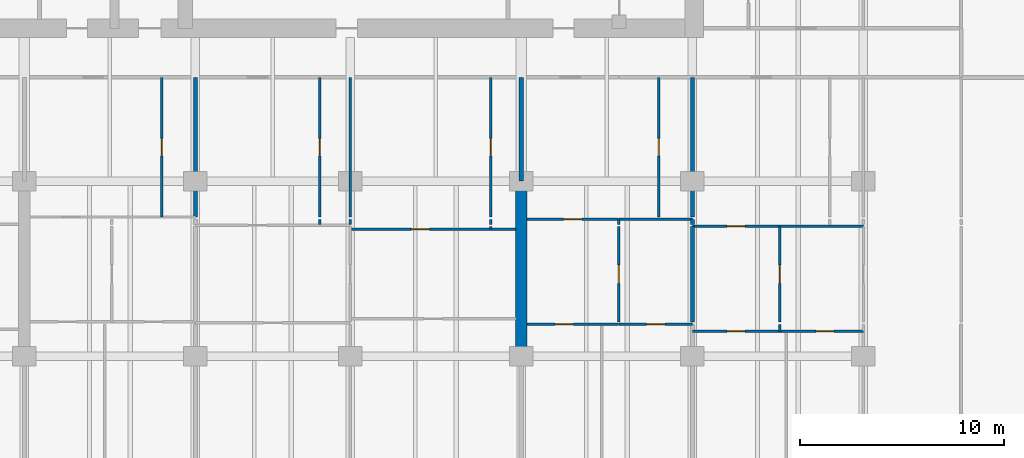
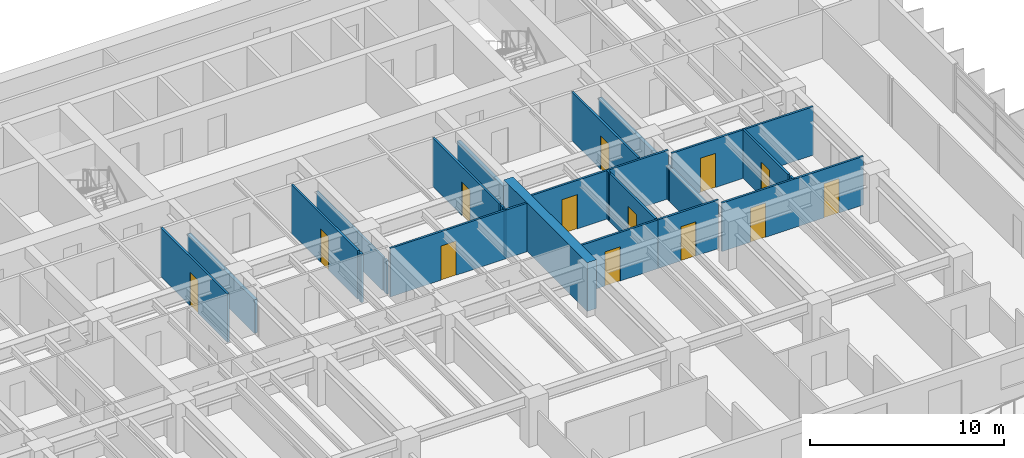
# One storey, part 9 of 17: 26 walls, 13 doors, 13 openings.
"""IFC4 building model written with IfcOpenShell, lengths in metres."""

import ifcopenshell
import ifcopenshell.guid

model = None  # the IFC model being written
_history = None  # IfcOwnerHistory: only IFC2X3 demands one
_inside = {}  # id of a spatial element -> (the spatial element, [elements in it])
_under = {}  # id of a project, library or spatial element -> (it, [spatial elements below it])
_declared = {}  # id of a project -> (the project, [libraries it declares])
_typed = {}  # id of a type object -> (the type object, [elements of that type])
_made_of = {}  # id of a material, layer set ... -> (it, [elements and type objects made of it])


def new_model(schema):
    """Start an empty IFC model of exactly this schema.

    Asked for "IFC4X3", IfcOpenShell would pick the latest addendum, in which some entities
    have other attributes; the version numbers below select the first issue.
    IFC2X3 requires an IfcOwnerHistory on every rooted entity: one is made here for all.
    """
    global model, _history
    if schema == "IFC4X3":
        model = ifcopenshell.file(schema_version=(4, 3, 0, 0))
    else:
        model = ifcopenshell.file(schema=schema)
    _inside.clear()
    _under.clear()
    _declared.clear()
    _typed.clear()
    _made_of.clear()
    _history = None
    if model.schema == "IFC2X3":
        org = make("IfcOrganization", Name="unknown")
        user = make(
            "IfcPersonAndOrganization",
            ThePerson=make("IfcPerson", FamilyName="unknown"),
            TheOrganization=org,
        )
        app = make(
            "IfcApplication",
            ApplicationDeveloper=org,
            Version="unknown",
            ApplicationFullName="unknown",
            ApplicationIdentifier="unknown",
        )
        _history = make(
            "IfcOwnerHistory",
            OwningUser=user,
            OwningApplication=app,
            ChangeAction="ADDED",
            CreationDate=0,
        )
    return model


def make(cls, **values):
    """One entity of the class cls with the attributes given. An attribute that is None is left unset."""
    return model.create_entity(
        cls, **{name: value for name, value in values.items() if value is not None}
    )


def rooted(cls, **values):
    """An entity with a GlobalId (a new one), such as an element, a storey or a relation."""
    return make(cls, GlobalId=ifcopenshell.guid.new(), OwnerHistory=_history, **values)


def si_unit(unit_type, name, prefix=None):
    """IfcSIUnit, for example si_unit("LENGTHUNIT", "METRE", prefix="MILLI")."""
    return make("IfcSIUnit", UnitType=unit_type, Prefix=prefix, Name=name)


def assignment(units):
    """IfcUnitAssignment: the units of a project."""
    return None if units is None else make("IfcUnitAssignment", Units=units)


def point(xyz):
    """IfcCartesianPoint."""
    return None if xyz is None else make("IfcCartesianPoint", Coordinates=xyz)


def direction(xyz):
    """IfcDirection."""
    return None if xyz is None else make("IfcDirection", DirectionRatios=xyz)


def frame(location, z_axis=None, x_axis=None):
    """IfcAxis2Placement3D, a coordinate frame: its origin and axes. An axis left out is left unset."""
    return make(
        "IfcAxis2Placement3D",
        Location=point(location),
        Axis=direction(z_axis),
        RefDirection=direction(x_axis),
    )


def frame_2d(location, x_axis=None):
    """IfcAxis2Placement2D, a coordinate frame in the plane: its origin and x axis."""
    return make(
        "IfcAxis2Placement2D", Location=point(location), RefDirection=direction(x_axis)
    )


def origin():
    """The frame at (0, 0, 0) with its axes left unset."""
    return frame((0.0, 0.0, 0.0))


def place(relative_to, where):
    """IfcLocalPlacement: puts the frame where relative to a parent placement (None: the world)."""
    return make(
        "IfcLocalPlacement", PlacementRelTo=relative_to, RelativePlacement=where
    )


def context(
    kind, dimensions, precision=None, world=None, true_north=None, identifier=None
):
    """IfcGeometricRepresentationContext, for example the 3D "Model" context."""
    return make(
        "IfcGeometricRepresentationContext",
        ContextIdentifier=identifier,
        ContextType=kind,
        CoordinateSpaceDimension=dimensions,
        Precision=precision,
        WorldCoordinateSystem=world,
        TrueNorth=true_north,
    )


def subcontext(parent, identifier, kind, view, scale=None):
    """IfcGeometricRepresentationSubContext, for example "Body" below "Model"."""
    return make(
        "IfcGeometricRepresentationSubContext",
        ContextIdentifier=identifier,
        ContextType=kind,
        ParentContext=parent,
        TargetScale=scale,
        TargetView=view,
    )


def project(units=None, contexts=None):
    """IfcProject with its units and contexts."""
    return rooted(
        "IfcProject",
        Name="project",
        RepresentationContexts=contexts,
        UnitsInContext=assignment(units),
    )


def spatial(cls, under=None, at=None, **own):
    """A site, building, storey or space (cls), placed at a placement, below another one or the project."""
    s = rooted(cls, ObjectPlacement=at, **own)
    if under is not None:
        _under.setdefault(under.id(), (under, []))[1].append(s)
    return s


def profile(cls, at=None, kind="AREA", **sizes):
    """A parametric profile (cls). Its sizes go by their IFC names, for example OverallWidth=200.0."""
    return make(cls, ProfileType=kind, Position=at, **sizes)


def rectangle(**sizes):
    """IfcRectangleProfileDef."""
    return profile("IfcRectangleProfileDef", **sizes)


def extrude(swept, where, along, depth):
    """IfcExtrudedAreaSolid: the profile swept, set in the frame where, extruded along a direction by depth."""
    return make(
        "IfcExtrudedAreaSolid",
        SweptArea=swept,
        Position=where,
        ExtrudedDirection=direction(along),
        Depth=depth,
    )


def shape(context_of_items, identifier, shape_type, items):
    """IfcShapeRepresentation: the items that make up one representation, for example the "Body"."""
    return make(
        "IfcShapeRepresentation",
        ContextOfItems=context_of_items,
        RepresentationIdentifier=identifier,
        RepresentationType=shape_type,
        Items=items,
    )


def material(Name=None, Category=None):
    """IfcMaterial."""
    return make("IfcMaterial", Name=Name, Category=Category)


def layer(
    of_material, thickness, ventilated=None, Name=None, Category=None, Priority=None
):
    """IfcMaterialLayer: one layer of a wall or slab, of a material (None: an air gap)."""
    return make(
        "IfcMaterialLayer",
        Material=of_material,
        LayerThickness=thickness,
        IsVentilated=ventilated,
        Name=Name,
        Category=Category,
        Priority=Priority,
    )


def layer_set(layers, Name=None):
    """IfcMaterialLayerSet."""
    return make("IfcMaterialLayerSet", MaterialLayers=layers, LayerSetName=Name)


def made_of(thing, what):
    """Note that an element or type object is made of a material, layer set ...; save() writes the relation."""
    if what is not None:
        _made_of.setdefault(what.id(), (what, []))[1].append(thing)
    return thing


def type_object(cls, material=None, **own):
    """A type object (cls), such as IfcWallType, which elements share."""
    return made_of(rooted(cls, **own), material)


def element(
    cls,
    number,
    at=None,
    inside=None,
    cuts=None,
    type_object=None,
    material=None,
    context=None,
    identifier="Body",
    shape_type=None,
    held_by="IfcProductDefinitionShape",
    body=None,
    shapes=None,
    **own,
):
    """One element of the class cls, such as IfcWall. Its Tag is "e" and its number.

    at: its placement. inside: the storey or other place that contains it. cuts: it is an
    opening in that element (IfcRelVoidsElement). A single representation is given by context,
    identifier, shape_type and body (its items); several are given by shapes. held_by: the class
    of the entity that holds the representations. save() writes the other relations.
    """
    e = rooted(cls, Tag="e%d" % number, ObjectPlacement=at, **own)
    if body is not None:
        shapes = [shape(context, identifier, shape_type, body)]
    if shapes is not None:
        e.Representation = make(held_by, Representations=shapes)
    if inside is not None:
        _inside.setdefault(inside.id(), (inside, []))[1].append(e)
    if cuts is not None:
        rooted(
            "IfcRelVoidsElement", RelatingBuildingElement=cuts, RelatedOpeningElement=e
        )
    if type_object is not None:
        _typed.setdefault(type_object.id(), (type_object, []))[1].append(e)
    return made_of(e, material)


def fill(opening, filler):
    """IfcRelFillsElement: the door or window that sits in an opening."""
    return rooted(
        "IfcRelFillsElement",
        RelatingOpeningElement=opening,
        RelatedBuildingElement=filler,
    )


def aggregate(whole, parts):
    """IfcRelAggregates: a whole, such as a stair, and the parts it consists of."""
    return rooted("IfcRelAggregates", RelatingObject=whole, RelatedObjects=parts)


def save(model, path):
    """Write the relations noted so far, then the file.

    IfcRelAggregates (storeys below a building ...), IfcRelContainedInSpatialStructure (elements
    in a storey), IfcRelDefinesByType, IfcRelAssociatesMaterial and IfcRelDeclares: one each for
    every whole, place, type object, material and project.
    """
    for whole, parts in _under.values():
        aggregate(whole, parts)
    for where, things in _inside.values():
        rooted(
            "IfcRelContainedInSpatialStructure",
            RelatedElements=things,
            RelatingStructure=where,
        )
    for kind, things in _typed.values():
        rooted("IfcRelDefinesByType", RelatedObjects=things, RelatingType=kind)
    for what, things in _made_of.values():
        rooted("IfcRelAssociatesMaterial", RelatedObjects=things, RelatingMaterial=what)
    for by, libraries in _declared.values():
        rooted("IfcRelDeclares", RelatingContext=by, RelatedDefinitions=libraries)
    model.write(path)


model = new_model("IFC4")

# Units and contexts
model_context = context("Model", 3, precision=1e-05, world=origin(), true_north=direction((0.0, 1.0)))
body_context = subcontext(model_context, "Body", "Model", "MODEL_VIEW")
ifc_project = project(units=[si_unit("LENGTHUNIT", "METRE"), si_unit("AREAUNIT", "SQUARE_METRE"), si_unit("VOLUMEUNIT", "CUBIC_METRE"), si_unit("PLANEANGLEUNIT", "RADIAN"), si_unit("MASSUNIT", "GRAM", prefix="KILO")], contexts=[model_context])

# Site, building, storey
site_placement = place(None, origin())
site = spatial("IfcSite", under=ifc_project, at=site_placement, CompositionType="ELEMENT")
building_placement = place(site_placement, origin())
building = spatial("IfcBuilding", under=site, at=building_placement, Name="Caelmar Bay Residences", CompositionType="ELEMENT")
storey_placement = place(building_placement, frame((0.0, 0.0, 33.300048828125)))
storey = spatial("IfcBuildingStorey", under=building, at=storey_placement, Name="L07", CompositionType="ELEMENT", Elevation=33.300048828125)

# Wall
ifc_material_1 = material(Name="Concrete f'c 70 MPa (10,000 psi)", Category="concrete")
ifc_layer_1 = layer(ifc_material_1, 0.550048828125)
ifc_layer_set_1 = layer_set([ifc_layer_1], Name="Concrete f'c 70 MPa (10,000 psi)")
wall_type_1 = type_object("IfcWallType", Name="SW-XSLB-550", PredefinedType="SHEAR", material=ifc_layer_set_1)
wall_1_placement = place(storey_placement, frame((51.10009765625, 20.800048828125, 0.0), z_axis=(0.0, 0.0, 1.0), x_axis=(0.0, 1.0, 0.0)))
element("IfcWall", 1, at=wall_1_placement, inside=storey, type_object=wall_type_1, Name="L07 Transverse Cross-Slab Shear Wall E8", PredefinedType="SHEAR", context=body_context, shape_type="SweptSolid", body=[
    extrude(rectangle(XDim=8.599853515625, YDim=0.550048828125, at=frame_2d((4.2998046875, 0.0))), origin(), (0.0, 0.0, 1.0), 3.050048828125),
])

# Wall, opening, door
ifc_material_2 = material(Name="Acoustic metal-stud gypsum partition 120 mm")
ifc_layer_2 = layer(ifc_material_2, 0.1201171875)
ifc_layer_set_2 = layer_set([ifc_layer_2], Name="Acoustic metal-stud gypsum partition 120 mm")
wall_type_2 = type_object("IfcWallType", Name="W-PRT-120", PredefinedType="PARTITIONING", material=ifc_layer_set_2)
wall_2_placement = place(storey_placement, frame((33.449951171875, 27.639892578125, 0.0), z_axis=(0.0, 0.0, 1.0), x_axis=(0.0, 1.0, 0.0)))
wall_2 = element("IfcWall", 2, at=wall_2_placement, inside=storey, type_object=wall_type_2, Name="L07 Partition Wall V041", PredefinedType="PARTITIONING", context=body_context, shape_type="SweptSolid", body=[
    extrude(rectangle(XDim=6.860107421875, YDim=0.1201171875, at=frame_2d((3.43017578125, 0.0))), origin(), (0.0, 0.0, 1.0), 3.050048828125),
])
opening_1_placement = place(wall_2_placement, frame((3.0048828125, 0.0, 0.0)))
opening_1 = element("IfcOpeningElement", 3, at=opening_1_placement, cuts=wall_2, Name="Opening D-L07-135", PredefinedType="OPENING", context=body_context, shape_type="SweptSolid", body=[
    extrude(rectangle(XDim=0.85009765625, YDim=2.10009765625, at=frame_2d((0.425048828125, 1.050048828125))), frame((0.0, 0.070068359375, 0.0), z_axis=(0.0, -1.0, 0.0), x_axis=(1.0, 0.0, 0.0)), (0.0, 0.0, 1.0), 0.14013671875),
])
ifc_material_3 = material(Name="Solid walnut timber interior door leaf and frame", Category="wood")
ifc_layer_3 = layer(ifc_material_3, 0.050048828125)
ifc_layer_set_3 = layer_set([ifc_layer_3], Name="Solid walnut timber interior door leaf and frame")
door_type_1 = type_object("IfcDoorType", Name="D-BATH-850", OperationType="NOTDEFINED", PredefinedType="DOOR", material=ifc_layer_set_3)
door_1_placement = place(opening_1_placement, origin())
door_1 = element("IfcDoor", 4, at=door_1_placement, inside=storey, type_object=door_type_1, Name="L07 Residence 03 Bathroom Door", OperationType="SINGLE_SWING_RIGHT", OverallHeight=2.10009765625, OverallWidth=0.85009765625, PredefinedType="DOOR", context=body_context, shape_type="SweptSolid", body=[
    extrude(rectangle(XDim=0.85009765625, YDim=2.10009765625, at=frame_2d((0.425048828125, 1.050048828125))), frame((0.0, 0.02490234375, 0.0), z_axis=(0.0, -1.0, 0.0), x_axis=(1.0, 0.0, 0.0)), (0.0, 0.0, 1.0), 0.050048828125),
])
fill(opening_1, door_1)

# Wall
wall_3_placement = place(storey_placement, frame((41.199951171875, 27.280029296875, 0.0), z_axis=(0.0, 0.0, 1.0), x_axis=(0.0, 1.0, 0.0)))
element("IfcWall", 5, at=wall_3_placement, inside=storey, type_object=wall_type_2, Name="L07 Partition Wall V050", PredefinedType="PARTITIONING", context=body_context, shape_type="SweptSolid", body=[
    extrude(rectangle(XDim=0.239990234375, YDim=0.1201171875, at=frame_2d((0.1201171875, 0.0))), origin(), (0.0, 0.0, 1.0), 3.050048828125),
])

# Wall, opening, door
wall_4_placement = place(storey_placement, frame((41.199951171875, 27.639892578125, 0.0), z_axis=(0.0, 0.0, 1.0), x_axis=(0.0, 1.0, 0.0)))
wall_4 = element("IfcWall", 6, at=wall_4_placement, inside=storey, type_object=wall_type_2, Name="L07 Partition Wall V051", PredefinedType="PARTITIONING", context=body_context, shape_type="SweptSolid", body=[
    extrude(rectangle(XDim=6.860107421875, YDim=0.1201171875, at=frame_2d((3.43017578125, 0.0))), origin(), (0.0, 0.0, 1.0), 3.050048828125),
])
opening_2_placement = place(wall_4_placement, frame((3.0048828125, 0.0, 0.0)))
opening_2 = element("IfcOpeningElement", 7, at=opening_2_placement, cuts=wall_4, Name="Opening D-L07-142", PredefinedType="OPENING", context=body_context, shape_type="SweptSolid", body=[
    extrude(rectangle(XDim=0.85009765625, YDim=2.10009765625, at=frame_2d((0.425048828125, 1.050048828125))), frame((0.0, 0.070068359375, 0.0), z_axis=(0.0, -1.0, 0.0), x_axis=(1.0, 0.0, 0.0)), (0.0, 0.0, 1.0), 0.14013671875),
])
door_2_placement = place(opening_2_placement, origin())
door_2 = element("IfcDoor", 8, at=door_2_placement, inside=storey, type_object=door_type_1, Name="L07 Residence 04 Guest Bathroom Door", OperationType="SINGLE_SWING_LEFT", OverallHeight=2.10009765625, OverallWidth=0.85009765625, PredefinedType="DOOR", context=body_context, shape_type="SweptSolid", body=[
    extrude(rectangle(XDim=0.85009765625, YDim=2.10009765625, at=frame_2d((0.425048828125, 1.050048828125))), frame((0.0, 0.02490234375, 0.0), z_axis=(0.0, -1.0, 0.0), x_axis=(1.0, 0.0, 0.0)), (0.0, 0.0, 1.0), 0.050048828125),
])
fill(opening_2, door_2)

# Walls
wall_5_placement = place(storey_placement, frame((42.699951171875, 27.280029296875, 0.0), z_axis=(0.0, 0.0, 1.0), x_axis=(0.0, 1.0, 0.0)))
element("IfcWall", 9, at=wall_5_placement, inside=storey, type_object=wall_type_2, Name="L07 Partition Wall V055", PredefinedType="PARTITIONING", context=body_context, shape_type="SweptSolid", body=[
    extrude(rectangle(XDim=0.239990234375, YDim=0.1201171875, at=frame_2d((0.1201171875, 0.0))), origin(), (0.0, 0.0, 1.0), 2.10986328125),
])
wall_6_placement = place(storey_placement, frame((42.699951171875, 27.639892578125, 0.0), z_axis=(0.0, 0.0, 1.0), x_axis=(0.0, 1.0, 0.0)))
element("IfcWall", 10, at=wall_6_placement, inside=storey, type_object=wall_type_2, Name="L07 Partition Wall V056", PredefinedType="PARTITIONING", context=body_context, shape_type="SweptSolid", body=[
    extrude(rectangle(XDim=6.860107421875, YDim=0.1201171875, at=frame_2d((3.43017578125, 0.0))), origin(), (0.0, 0.0, 1.0), 2.10986328125),
])
wall_7_placement = place(storey_placement, frame((49.60009765625, 27.0400390625, 0.0), z_axis=(0.0, 0.0, 1.0), x_axis=(0.0, 1.0, 0.0)))
element("IfcWall", 11, at=wall_7_placement, inside=storey, type_object=wall_type_2, Name="L07 Partition Wall V060", PredefinedType="PARTITIONING", context=body_context, shape_type="SweptSolid", body=[
    extrude(rectangle(XDim=0.139892578125, YDim=0.1201171875, at=frame_2d((0.06982421875, 0.0))), origin(), (0.0, 0.0, 1.0), 3.050048828125),
])
wall_8_placement = place(storey_placement, frame((49.60009765625, 27.280029296875, 0.0), z_axis=(0.0, 0.0, 1.0), x_axis=(0.0, 1.0, 0.0)))
element("IfcWall", 12, at=wall_8_placement, inside=storey, type_object=wall_type_2, Name="L07 Partition Wall V061", PredefinedType="PARTITIONING", context=body_context, shape_type="SweptSolid", body=[
    extrude(rectangle(XDim=0.239990234375, YDim=0.1201171875, at=frame_2d((0.1201171875, 0.0))), origin(), (0.0, 0.0, 1.0), 3.050048828125),
])

# Wall, opening, door
wall_9_placement = place(storey_placement, frame((49.60009765625, 27.639892578125, 0.0), z_axis=(0.0, 0.0, 1.0), x_axis=(0.0, 1.0, 0.0)))
wall_9 = element("IfcWall", 13, at=wall_9_placement, inside=storey, type_object=wall_type_2, Name="L07 Partition Wall V062", PredefinedType="PARTITIONING", context=body_context, shape_type="SweptSolid", body=[
    extrude(rectangle(XDim=6.860107421875, YDim=0.1201171875, at=frame_2d((3.43017578125, 0.0))), origin(), (0.0, 0.0, 1.0), 3.050048828125),
])
opening_3_placement = place(wall_9_placement, frame((3.0048828125, 0.0, 0.0)))
opening_3 = element("IfcOpeningElement", 14, at=opening_3_placement, cuts=wall_9, Name="Opening D-L07-147", PredefinedType="OPENING", context=body_context, shape_type="SweptSolid", body=[
    extrude(rectangle(XDim=0.85009765625, YDim=2.10009765625, at=frame_2d((0.425048828125, 1.050048828125))), frame((0.0, 0.070068359375, 0.0), z_axis=(0.0, -1.0, 0.0), x_axis=(1.0, 0.0, 0.0)), (0.0, 0.0, 1.0), 0.14013671875),
])
door_3_placement = place(opening_3_placement, origin())
door_3 = element("IfcDoor", 15, at=door_3_placement, inside=storey, type_object=door_type_1, Name="L07 Residence 04 En-Suite Bathroom 1 Door", OperationType="SINGLE_SWING_RIGHT", OverallHeight=2.10009765625, OverallWidth=0.85009765625, PredefinedType="DOOR", context=body_context, shape_type="SweptSolid", body=[
    extrude(rectangle(XDim=0.85009765625, YDim=2.10009765625, at=frame_2d((0.425048828125, 1.050048828125))), frame((0.0, 0.02490234375, 0.0), z_axis=(0.0, -1.0, 0.0), x_axis=(1.0, 0.0, 0.0)), (0.0, 0.0, 1.0), 0.050048828125),
])
fill(opening_3, door_3)

wall_10_placement = place(storey_placement, frame((55.885986328125, 22.489990234375, 0.0), z_axis=(0.0, 0.0, 1.0), x_axis=(0.0, 1.0, 0.0)))
wall_10 = element("IfcWall", 16, at=wall_10_placement, inside=storey, type_object=wall_type_2, Name="L07 Partition Wall V071", PredefinedType="PARTITIONING", context=body_context, shape_type="SweptSolid", body=[
    extrude(rectangle(XDim=4.68994140625, YDim=0.1201171875, at=frame_2d((2.344970703125, 0.0))), origin(), (0.0, 0.0, 1.0), 3.050048828125),
])
opening_4_placement = place(wall_10_placement, frame((1.89501953125, 0.0, 0.0)))
opening_4 = element("IfcOpeningElement", 17, at=opening_4_placement, cuts=wall_10, Name="Opening D-L07-153", PredefinedType="OPENING", context=body_context, shape_type="SweptSolid", body=[
    extrude(rectangle(XDim=0.89990234375, YDim=2.14990234375, at=frame_2d((0.449951171875, 1.074951171875))), frame((0.0, 0.070068359375, 0.0), z_axis=(0.0, -1.0, 0.0), x_axis=(1.0, 0.0, 0.0)), (0.0, 0.0, 1.0), 0.14013671875),
])
ifc_layer_4 = layer(ifc_material_3, 0.050048828125)
ifc_layer_set_4 = layer_set([ifc_layer_4], Name="Solid walnut timber interior door leaf and frame")
door_type_2 = type_object("IfcDoorType", Name="D-ROOM-900", OperationType="NOTDEFINED", PredefinedType="DOOR", material=ifc_layer_set_4)
door_4_placement = place(opening_4_placement, origin())
door_4 = element("IfcDoor", 18, at=door_4_placement, inside=storey, type_object=door_type_2, Name="L07 Residence 05 Study Door", OperationType="SINGLE_SWING_RIGHT", OverallHeight=2.14990234375, OverallWidth=0.89990234375, PredefinedType="DOOR", context=body_context, shape_type="SweptSolid", body=[
    extrude(rectangle(XDim=0.89990234375, YDim=2.14990234375, at=frame_2d((0.449951171875, 1.074951171875))), frame((0.0, 0.02490234375, 0.0), z_axis=(0.0, -1.0, 0.0), x_axis=(1.0, 0.0, 0.0)), (0.0, 0.0, 1.0), 0.050048828125),
])
fill(opening_4, door_4)

# Wall
wall_11_placement = place(storey_placement, frame((55.885986328125, 27.280029296875, 0.0), z_axis=(0.0, 0.0, 1.0), x_axis=(0.0, 1.0, 0.0)))
element("IfcWall", 19, at=wall_11_placement, inside=storey, type_object=wall_type_2, Name="L07 Partition Wall V072", PredefinedType="PARTITIONING", context=body_context, shape_type="SweptSolid", body=[
    extrude(rectangle(XDim=0.239990234375, YDim=0.1201171875, at=frame_2d((0.1201171875, 0.0))), origin(), (0.0, 0.0, 1.0), 3.050048828125),
])

# Wall, opening, door
wall_12_placement = place(storey_placement, frame((57.85009765625, 27.639892578125, 0.0), z_axis=(0.0, 0.0, 1.0), x_axis=(0.0, 1.0, 0.0)))
wall_12 = element("IfcWall", 20, at=wall_12_placement, inside=storey, type_object=wall_type_2, Name="L07 Partition Wall V074", PredefinedType="PARTITIONING", context=body_context, shape_type="SweptSolid", body=[
    extrude(rectangle(XDim=6.860107421875, YDim=0.1201171875, at=frame_2d((3.43017578125, 0.0))), origin(), (0.0, 0.0, 1.0), 3.050048828125),
])
opening_5_placement = place(wall_12_placement, frame((3.0048828125, 0.0, 0.0)))
opening_5 = element("IfcOpeningElement", 21, at=opening_5_placement, cuts=wall_12, Name="Opening D-L07-151", PredefinedType="OPENING", context=body_context, shape_type="SweptSolid", body=[
    extrude(rectangle(XDim=0.85009765625, YDim=2.10009765625, at=frame_2d((0.425048828125, 1.050048828125))), frame((0.0, 0.070068359375, 0.0), z_axis=(0.0, -1.0, 0.0), x_axis=(1.0, 0.0, 0.0)), (0.0, 0.0, 1.0), 0.14013671875),
])
door_5_placement = place(opening_5_placement, origin())
door_5 = element("IfcDoor", 22, at=door_5_placement, inside=storey, type_object=door_type_1, Name="L07 Residence 05 Bathroom Door", OperationType="SINGLE_SWING_RIGHT", OverallHeight=2.10009765625, OverallWidth=0.85009765625, PredefinedType="DOOR", context=body_context, shape_type="SweptSolid", body=[
    extrude(rectangle(XDim=0.85009765625, YDim=2.10009765625, at=frame_2d((0.425048828125, 1.050048828125))), frame((0.0, 0.02490234375, 0.0), z_axis=(0.0, -1.0, 0.0), x_axis=(1.0, 0.0, 0.0)), (0.0, 0.0, 1.0), 0.050048828125),
])
fill(opening_5, door_5)

# Wall
wall_13_placement = place(storey_placement, frame((63.785888671875, 22.030029296875, 0.0), z_axis=(0.0, 0.0, 1.0), x_axis=(0.0, 1.0, 0.0)))
element("IfcWall", 23, at=wall_13_placement, inside=storey, type_object=wall_type_2, Name="L07 Partition Wall V081", PredefinedType="PARTITIONING", context=body_context, shape_type="SweptSolid", body=[
    extrude(rectangle(XDim=0.340087890625, YDim=0.1201171875, at=frame_2d((0.169921875, 0.0))), origin(), (0.0, 0.0, 1.0), 3.050048828125),
])

# Wall, opening, door
wall_14_placement = place(storey_placement, frame((63.785888671875, 22.489990234375, 0.0), z_axis=(0.0, 0.0, 1.0), x_axis=(0.0, 1.0, 0.0)))
wall_14 = element("IfcWall", 24, at=wall_14_placement, inside=storey, type_object=wall_type_2, Name="L07 Partition Wall V082", PredefinedType="PARTITIONING", context=body_context, shape_type="SweptSolid", body=[
    extrude(rectangle(XDim=4.68994140625, YDim=0.1201171875, at=frame_2d((2.344970703125, 0.0))), origin(), (0.0, 0.0, 1.0), 3.050048828125),
])
opening_6_placement = place(wall_14_placement, frame((1.89501953125, 0.0, 0.0)))
opening_6 = element("IfcOpeningElement", 25, at=opening_6_placement, cuts=wall_14, Name="Opening D-L07-160", PredefinedType="OPENING", context=body_context, shape_type="SweptSolid", body=[
    extrude(rectangle(XDim=0.89990234375, YDim=2.14990234375, at=frame_2d((0.449951171875, 1.074951171875))), frame((0.0, 0.070068359375, 0.0), z_axis=(0.0, -1.0, 0.0), x_axis=(1.0, 0.0, 0.0)), (0.0, 0.0, 1.0), 0.14013671875),
])
door_6_placement = place(opening_6_placement, origin())
door_6 = element("IfcDoor", 26, at=door_6_placement, inside=storey, type_object=door_type_2, Name="L07 Residence 06 Study Door", OperationType="SINGLE_SWING_LEFT", OverallHeight=2.14990234375, OverallWidth=0.89990234375, PredefinedType="DOOR", context=body_context, shape_type="SweptSolid", body=[
    extrude(rectangle(XDim=0.89990234375, YDim=2.14990234375, at=frame_2d((0.449951171875, 1.074951171875))), frame((0.0, 0.02490234375, 0.0), z_axis=(0.0, -1.0, 0.0), x_axis=(1.0, 0.0, 0.0)), (0.0, 0.0, 1.0), 0.050048828125),
])
fill(opening_6, door_6)

# Wall, openings, doors
wall_15_placement = place(storey_placement, frame((59.5, 22.030029296875, 0.0), z_axis=(0.0, 0.0, 1.0), x_axis=(1.0, 0.0, 0.0)))
wall_15 = element("IfcWall", 27, at=wall_15_placement, inside=storey, type_object=wall_type_2, Name="L07 Partition Wall H107", PredefinedType="PARTITIONING", context=body_context, shape_type="SweptSolid", body=[
    extrude(rectangle(XDim=8.39990234375, YDim=0.1201171875, at=frame_2d((4.199951171875, 0.0))), origin(), (0.0, 0.0, 1.0), 3.050048828125),
])
opening_7_placement = place(wall_15_placement, frame((1.693115234375, 0.0, 0.0)))
opening_7 = element("IfcOpeningElement", 28, at=opening_7_placement, cuts=wall_15, Name="Opening D-L07-161", PredefinedType="OPENING", context=body_context, shape_type="SweptSolid", body=[
    extrude(rectangle(XDim=0.89990234375, YDim=2.14990234375, at=frame_2d((0.449951171875, 1.074951171875))), frame((0.0, 0.070068359375, 0.0), z_axis=(0.0, -1.0, 0.0), x_axis=(1.0, 0.0, 0.0)), (0.0, 0.0, 1.0), 0.14013671875),
])
opening_8_placement = place(wall_15_placement, frame((6.06005859375, 0.0, 0.0)))
opening_8 = element("IfcOpeningElement", 29, at=opening_8_placement, cuts=wall_15, Name="Opening D-L07-162", PredefinedType="OPENING", context=body_context, shape_type="SweptSolid", body=[
    extrude(rectangle(XDim=0.89990234375, YDim=2.14990234375, at=frame_2d((0.449951171875, 1.074951171875))), frame((0.0, 0.070068359375, 0.0), z_axis=(0.0, -1.0, 0.0), x_axis=(1.0, 0.0, 0.0)), (0.0, 0.0, 1.0), 0.14013671875),
])
door_7_placement = place(opening_7_placement, origin())
door_7 = element("IfcDoor", 30, at=door_7_placement, inside=storey, type_object=door_type_2, Name="L07 Residence 06 Penthouse Living Salon Door", OperationType="SINGLE_SWING_RIGHT", OverallHeight=2.14990234375, OverallWidth=0.89990234375, PredefinedType="DOOR", context=body_context, shape_type="SweptSolid", body=[
    extrude(rectangle(XDim=0.89990234375, YDim=2.14990234375, at=frame_2d((0.449951171875, 1.074951171875))), frame((0.0, 0.02490234375, 0.0), z_axis=(0.0, -1.0, 0.0), x_axis=(1.0, 0.0, 0.0)), (0.0, 0.0, 1.0), 0.050048828125),
])
fill(opening_7, door_7)
door_8_placement = place(opening_8_placement, origin())
door_8 = element("IfcDoor", 31, at=door_8_placement, inside=storey, type_object=door_type_2, Name="L07 Residence 06 Penthouse Sitting Room Door", OperationType="SINGLE_SWING_LEFT", OverallHeight=2.14990234375, OverallWidth=0.89990234375, PredefinedType="DOOR", context=body_context, shape_type="SweptSolid", body=[
    extrude(rectangle(XDim=0.89990234375, YDim=2.14990234375, at=frame_2d((0.449951171875, 1.074951171875))), frame((0.0, 0.02490234375, 0.0), z_axis=(0.0, -1.0, 0.0), x_axis=(1.0, 0.0, 0.0)), (0.0, 0.0, 1.0), 0.050048828125),
])
fill(opening_8, door_8)

# Wall, opening, door
wall_16_placement = place(storey_placement, frame((51.3701171875, 22.3701171875, 0.0), z_axis=(0.0, 0.0, 1.0), x_axis=(1.0, 0.0, 0.0)))
wall_16 = element("IfcWall", 32, at=wall_16_placement, inside=storey, type_object=wall_type_2, Name="L07 Partition Wall H109", PredefinedType="PARTITIONING", context=body_context, shape_type="SweptSolid", body=[
    extrude(rectangle(XDim=4.515869140625, YDim=0.1201171875, at=frame_2d((2.2578125, 0.0))), origin(), (0.0, 0.0, 1.0), 3.050048828125),
])
opening_9_placement = place(wall_16_placement, frame((1.388916015625, 0.0, 0.0)))
opening_9 = element("IfcOpeningElement", 33, at=opening_9_placement, cuts=wall_16, Name="Opening D-L07-154", PredefinedType="OPENING", context=body_context, shape_type="SweptSolid", body=[
    extrude(rectangle(XDim=0.89990234375, YDim=2.14990234375, at=frame_2d((0.449951171875, 1.074951171875))), frame((0.0, 0.070068359375, 0.0), z_axis=(0.0, -1.0, 0.0), x_axis=(1.0, 0.0, 0.0)), (0.0, 0.0, 1.0), 0.14013671875),
])
door_9_placement = place(opening_9_placement, origin())
door_9 = element("IfcDoor", 34, at=door_9_placement, inside=storey, type_object=door_type_2, Name="L07 Residence 05 Living Room Door", OperationType="SINGLE_SWING_LEFT", OverallHeight=2.14990234375, OverallWidth=0.89990234375, PredefinedType="DOOR", context=body_context, shape_type="SweptSolid", body=[
    extrude(rectangle(XDim=0.89990234375, YDim=2.14990234375, at=frame_2d((0.449951171875, 1.074951171875))), frame((0.0, 0.02490234375, 0.0), z_axis=(0.0, -1.0, 0.0), x_axis=(1.0, 0.0, 0.0)), (0.0, 0.0, 1.0), 0.050048828125),
])
fill(opening_9, door_9)

wall_17_placement = place(storey_placement, frame((55.89990234375, 22.3701171875, 0.0), z_axis=(0.0, 0.0, 1.0), x_axis=(1.0, 0.0, 0.0)))
wall_17 = element("IfcWall", 35, at=wall_17_placement, inside=storey, type_object=wall_type_2, Name="L07 Partition Wall H110", PredefinedType="PARTITIONING", context=body_context, shape_type="SweptSolid", body=[
    extrude(rectangle(XDim=3.60009765625, YDim=0.1201171875, at=frame_2d((1.800048828125, 0.0))), origin(), (0.0, 0.0, 1.0), 3.050048828125),
])
opening_10_placement = place(wall_17_placement, frame((1.35009765625, 0.0, 0.0)))
opening_10 = element("IfcOpeningElement", 36, at=opening_10_placement, cuts=wall_17, Name="Opening D-L07-155", PredefinedType="OPENING", context=body_context, shape_type="SweptSolid", body=[
    extrude(rectangle(XDim=0.89990234375, YDim=2.14990234375, at=frame_2d((0.449951171875, 1.074951171875))), frame((0.0, 0.070068359375, 0.0), z_axis=(0.0, -1.0, 0.0), x_axis=(1.0, 0.0, 0.0)), (0.0, 0.0, 1.0), 0.14013671875),
])
door_10_placement = place(opening_10_placement, origin())
door_10 = element("IfcDoor", 37, at=door_10_placement, inside=storey, type_object=door_type_2, Name="L07 Residence 05 Penthouse Sitting Room Door", OperationType="SINGLE_SWING_RIGHT", OverallHeight=2.14990234375, OverallWidth=0.89990234375, PredefinedType="DOOR", context=body_context, shape_type="SweptSolid", body=[
    extrude(rectangle(XDim=0.89990234375, YDim=2.14990234375, at=frame_2d((0.449951171875, 1.074951171875))), frame((0.0, 0.02490234375, 0.0), z_axis=(0.0, -1.0, 0.0), x_axis=(1.0, 0.0, 0.0)), (0.0, 0.0, 1.0), 0.050048828125),
])
fill(opening_10, door_10)

wall_18_placement = place(storey_placement, frame((42.699951171875, 27.0400390625, 0.0), z_axis=(0.0, 0.0, 1.0), x_axis=(1.0, 0.0, 0.0)))
wall_18 = element("IfcWall", 38, at=wall_18_placement, inside=storey, type_object=wall_type_2, Name="L07 Partition Wall H115", PredefinedType="PARTITIONING", context=body_context, shape_type="SweptSolid", body=[
    extrude(rectangle(XDim=8.130126953125, YDim=0.1201171875, at=frame_2d((4.06494140625, 0.0))), origin(), (0.0, 0.0, 1.0), 3.050048828125),
])
opening_11_placement = place(wall_18_placement, frame((3.0, 0.0, 0.0)))
opening_11 = element("IfcOpeningElement", 39, at=opening_11_placement, cuts=wall_18, Name="Opening D-L07-146", PredefinedType="OPENING", context=body_context, shape_type="SweptSolid", body=[
    extrude(rectangle(XDim=0.89990234375, YDim=2.14990234375, at=frame_2d((0.449951171875, 1.074951171875))), frame((0.0, 0.070068359375, 0.0), z_axis=(0.0, -1.0, 0.0), x_axis=(1.0, 0.0, 0.0)), (0.0, 0.0, 1.0), 0.14013671875),
])
door_11_placement = place(opening_11_placement, origin())
door_11 = element("IfcDoor", 40, at=door_11_placement, inside=storey, type_object=door_type_2, Name="L07 Residence 04 Sitting Room 1 Door", OperationType="SINGLE_SWING_LEFT", OverallHeight=2.14990234375, OverallWidth=0.89990234375, PredefinedType="DOOR", context=body_context, shape_type="SweptSolid", body=[
    extrude(rectangle(XDim=0.89990234375, YDim=2.14990234375, at=frame_2d((0.449951171875, 1.074951171875))), frame((0.0, 0.02490234375, 0.0), z_axis=(0.0, -1.0, 0.0), x_axis=(1.0, 0.0, 0.0)), (0.0, 0.0, 1.0), 0.050048828125),
])
fill(opening_11, door_11)

wall_19_placement = place(storey_placement, frame((59.5, 27.179931640625, 0.0), z_axis=(0.0, 0.0, 1.0), x_axis=(1.0, 0.0, 0.0)))
wall_19 = element("IfcWall", 41, at=wall_19_placement, inside=storey, type_object=wall_type_2, Name="L07 Partition Wall H116", PredefinedType="PARTITIONING", context=body_context, shape_type="SweptSolid", body=[
    extrude(rectangle(XDim=8.39990234375, YDim=0.1201171875, at=frame_2d((4.199951171875, 0.0))), origin(), (0.0, 0.0, 1.0), 3.050048828125),
])
opening_12_placement = place(wall_19_placement, frame((1.693115234375, 0.0, 0.0)))
opening_12 = element("IfcOpeningElement", 42, at=opening_12_placement, cuts=wall_19, Name="Opening D-L07-159", PredefinedType="OPENING", context=body_context, shape_type="SweptSolid", body=[
    extrude(rectangle(XDim=0.89990234375, YDim=2.14990234375, at=frame_2d((0.449951171875, 1.074951171875))), frame((0.0, 0.070068359375, 0.0), z_axis=(0.0, -1.0, 0.0), x_axis=(1.0, 0.0, 0.0)), (0.0, 0.0, 1.0), 0.14013671875),
])
door_12_placement = place(opening_12_placement, origin())
door_12 = element("IfcDoor", 43, at=door_12_placement, inside=storey, type_object=door_type_2, Name="L07 Residence 06 Kitchen Door", OperationType="SINGLE_SWING_RIGHT", OverallHeight=2.14990234375, OverallWidth=0.89990234375, PredefinedType="DOOR", context=body_context, shape_type="SweptSolid", body=[
    extrude(rectangle(XDim=0.89990234375, YDim=2.14990234375, at=frame_2d((0.449951171875, 1.074951171875))), frame((0.0, 0.02490234375, 0.0), z_axis=(0.0, -1.0, 0.0), x_axis=(1.0, 0.0, 0.0)), (0.0, 0.0, 1.0), 0.050048828125),
])
fill(opening_12, door_12)

wall_20_placement = place(storey_placement, frame((51.3701171875, 27.52001953125, 0.0), z_axis=(0.0, 0.0, 1.0), x_axis=(1.0, 0.0, 0.0)))
wall_20 = element("IfcWall", 44, at=wall_20_placement, inside=storey, type_object=wall_type_2, Name="L07 Partition Wall H119", PredefinedType="PARTITIONING", context=body_context, shape_type="SweptSolid", body=[
    extrude(rectangle(XDim=4.515869140625, YDim=0.1201171875, at=frame_2d((2.2578125, 0.0))), origin(), (0.0, 0.0, 1.0), 3.050048828125),
])
opening_13_placement = place(wall_20_placement, frame((1.80810546875, 0.0, 0.0)))
opening_13 = element("IfcOpeningElement", 45, at=opening_13_placement, cuts=wall_20, Name="Opening D-L07-152", PredefinedType="OPENING", context=body_context, shape_type="SweptSolid", body=[
    extrude(rectangle(XDim=0.89990234375, YDim=2.14990234375, at=frame_2d((0.449951171875, 1.074951171875))), frame((0.0, 0.070068359375, 0.0), z_axis=(0.0, -1.0, 0.0), x_axis=(1.0, 0.0, 0.0)), (0.0, 0.0, 1.0), 0.14013671875),
])
door_13_placement = place(opening_13_placement, origin())
door_13 = element("IfcDoor", 46, at=door_13_placement, inside=storey, type_object=door_type_2, Name="L07 Residence 05 Kitchen Door", OperationType="SINGLE_SWING_LEFT", OverallHeight=2.14990234375, OverallWidth=0.89990234375, PredefinedType="DOOR", context=body_context, shape_type="SweptSolid", body=[
    extrude(rectangle(XDim=0.89990234375, YDim=2.14990234375, at=frame_2d((0.449951171875, 1.074951171875))), frame((0.0, 0.02490234375, 0.0), z_axis=(0.0, -1.0, 0.0), x_axis=(1.0, 0.0, 0.0)), (0.0, 0.0, 1.0), 0.050048828125),
])
fill(opening_13, door_13)

# Walls
wall_21_placement = place(storey_placement, frame((55.89990234375, 27.52001953125, 0.0), z_axis=(0.0, 0.0, 1.0), x_axis=(1.0, 0.0, 0.0)))
element("IfcWall", 47, at=wall_21_placement, inside=storey, type_object=wall_type_2, Name="L07 Partition Wall H120", PredefinedType="PARTITIONING", context=body_context, shape_type="SweptSolid", body=[
    extrude(rectangle(XDim=3.60009765625, YDim=0.1201171875, at=frame_2d((1.800048828125, 0.0))), origin(), (0.0, 0.0, 1.0), 3.050048828125),
])
ifc_material_4 = material(Name="Acoustic twin-stud fire-rated inter-tenancy partition 200 mm")
ifc_layer_5 = layer(ifc_material_4, 0.199951171875)
ifc_layer_set_5 = layer_set([ifc_layer_5], Name="Acoustic twin-stud fire-rated inter-tenancy partition 200 mm")
wall_type_3 = type_object("IfcWallType", Name="W-PTY-200", PredefinedType="PARTITIONING", material=ifc_layer_set_5)
wall_22_placement = place(storey_placement, frame((35.10009765625, 27.639892578125, 0.0), z_axis=(0.0, 0.0, 1.0), x_axis=(0.0, 1.0, 0.0)))
element("IfcWall", 48, at=wall_22_placement, inside=storey, type_object=wall_type_3, Name="L07 Partition Wall V046", PredefinedType="PARTITIONING", context=body_context, shape_type="SweptSolid", body=[
    extrude(rectangle(XDim=6.860107421875, YDim=0.199951171875, at=frame_2d((3.43017578125, 0.0))), origin(), (0.0, 0.0, 1.0), 2.10986328125),
])
wall_23_placement = place(storey_placement, frame((51.10009765625, 29.405029296875, 0.0), z_axis=(0.0, 0.0, 1.0), x_axis=(0.0, 1.0, 0.0)))
element("IfcWall", 49, at=wall_23_placement, inside=storey, type_object=wall_type_3, Name="L07 Partition Wall V067", PredefinedType="PARTITIONING", context=body_context, shape_type="SweptSolid", body=[
    extrude(rectangle(XDim=5.094970703125, YDim=0.199951171875, at=frame_2d((2.54736328125, 0.0))), origin(), (0.0, 0.0, 1.0), 2.3349609375),
])
wall_24_placement = place(storey_placement, frame((59.5, 22.489990234375, 0.0), z_axis=(0.0, 0.0, 1.0), x_axis=(0.0, 1.0, 0.0)))
element("IfcWall", 50, at=wall_24_placement, inside=storey, type_object=wall_type_3, Name="L07 Partition Wall V077", PredefinedType="PARTITIONING", context=body_context, shape_type="SweptSolid", body=[
    extrude(rectangle(XDim=4.68994140625, YDim=0.199951171875, at=frame_2d((2.344970703125, 0.0))), origin(), (0.0, 0.0, 1.0), 2.10986328125),
])
wall_25_placement = place(storey_placement, frame((59.5, 27.280029296875, 0.0), z_axis=(0.0, 0.0, 1.0), x_axis=(0.0, 1.0, 0.0)))
element("IfcWall", 51, at=wall_25_placement, inside=storey, type_object=wall_type_3, Name="L07 Partition Wall V078", PredefinedType="PARTITIONING", context=body_context, shape_type="SweptSolid", body=[
    extrude(rectangle(XDim=0.239990234375, YDim=0.199951171875, at=frame_2d((0.1201171875, 0.0))), origin(), (0.0, 0.0, 1.0), 2.10986328125),
])
wall_26_placement = place(storey_placement, frame((59.5, 27.639892578125, 0.0), z_axis=(0.0, 0.0, 1.0), x_axis=(0.0, 1.0, 0.0)))
element("IfcWall", 52, at=wall_26_placement, inside=storey, type_object=wall_type_3, Name="L07 Partition Wall V079", PredefinedType="PARTITIONING", context=body_context, shape_type="SweptSolid", body=[
    extrude(rectangle(XDim=6.860107421875, YDim=0.199951171875, at=frame_2d((3.43017578125, 0.0))), origin(), (0.0, 0.0, 1.0), 2.10986328125),
])

save(model, "model.ifc")
